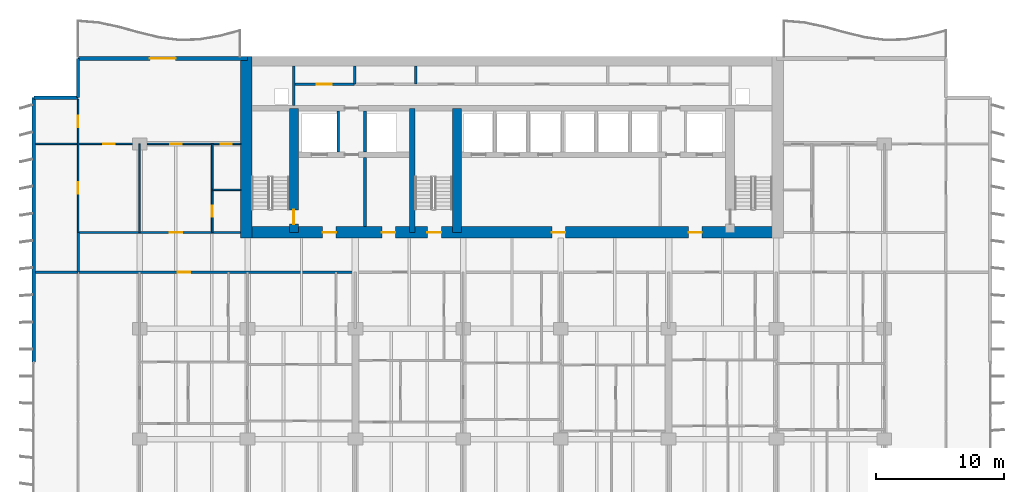
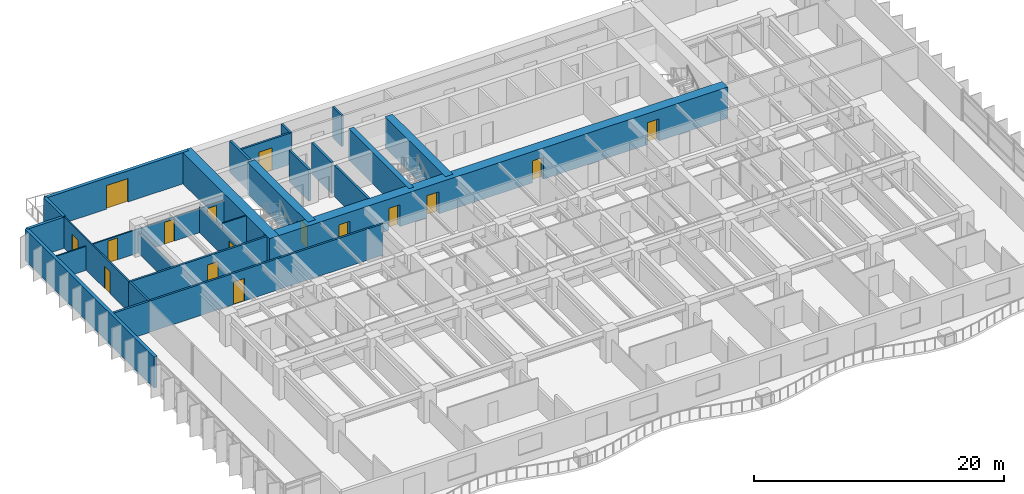
# One storey, part 10 of 17: 25 walls, 16 doors, 16 openings.
"""IFC4 building model written with IfcOpenShell, lengths in metres."""

from ifc_helpers import new_model, si_unit, direction, frame, frame_2d, origin, place, context, subcontext, project, spatial, rectangle, extrude, material, layer, layer_set, type_object, element, fill, save


model = new_model("IFC4")

# Units and contexts
model_context = context("Model", 3, precision=1e-05, world=origin(), true_north=direction((0.0, 1.0)))
body_context = subcontext(model_context, "Body", "Model", "MODEL_VIEW")
ifc_project = project(units=[si_unit("LENGTHUNIT", "METRE"), si_unit("AREAUNIT", "SQUARE_METRE"), si_unit("VOLUMEUNIT", "CUBIC_METRE"), si_unit("PLANEANGLEUNIT", "RADIAN"), si_unit("MASSUNIT", "GRAM", prefix="KILO")], contexts=[model_context])

# Site, building, storey
site_placement = place(None, origin())
site = spatial("IfcSite", under=ifc_project, at=site_placement, CompositionType="ELEMENT")
building_placement = place(site_placement, origin())
building = spatial("IfcBuilding", under=site, at=building_placement, Name="Caelmar Bay Residences", CompositionType="ELEMENT")
storey_placement = place(building_placement, frame((0.0, 0.0, 63.0)))
storey = spatial("IfcBuildingStorey", under=building, at=storey_placement, Name="L16", CompositionType="ELEMENT", Elevation=63.0)

# Wall, opening, door
ifc_material_1 = material(Name="Concrete f'c 55 MPa (8,000 psi)", Category="concrete")
ifc_layer_1 = layer(ifc_material_1, 0.699951171875)
ifc_layer_set_1 = layer_set([ifc_layer_1], Name="Concrete f'c 55 MPa (8,000 psi)")
wall_type_1 = type_object("IfcWallType", Name="SW-COR-700", PredefinedType="SHEAR", material=ifc_layer_set_1)
wall_1_placement = place(storey_placement, frame((21.89990234375, 36.89990234375, 0.0), z_axis=(0.0, 0.0, 1.0), x_axis=(0.0, 1.0, 0.0)))
wall_1 = element("IfcWall", 1, at=wall_1_placement, inside=storey, type_object=wall_type_1, Name="L16 Core Structural Web Wall ST1E", PredefinedType="SHEAR", context=body_context, shape_type="SweptSolid", body=[
    extrude(rectangle(XDim=9.675048828125, YDim=0.699951171875, at=frame_2d((4.83740234375, 0.0))), origin(), (0.0, 0.0, 1.0), 3.050048828125),
])
opening_1_placement = place(wall_1_placement, frame((0.64990234375, 0.0, 0.0)))
opening_1 = element("IfcOpeningElement", 2, at=opening_1_placement, cuts=wall_1, Name="Opening D-L16-108", PredefinedType="OPENING", context=body_context, shape_type="SweptSolid", body=[
    extrude(rectangle(XDim=1.10009765625, YDim=2.14990234375, at=frame_2d((0.550048828125, 1.074951171875))), frame((0.0, 0.35986328125, 0.0), z_axis=(0.0, -1.0, 0.0), x_axis=(1.0, 0.0, 0.0)), (0.0, 0.0, 1.0), 0.719970703125),
])
ifc_material_2 = material(Name="Fire-rated steel and walnut architectural door assembly", Category="steel")
ifc_layer_2 = layer(ifc_material_2, 0.050048828125)
ifc_layer_set_2 = layer_set([ifc_layer_2], Name="Fire-rated steel and walnut architectural door assembly")
door_type_1 = type_object("IfcDoorType", Name="D-STAIR-1100", OperationType="NOTDEFINED", PredefinedType="DOOR", material=ifc_layer_set_2)
door_1_placement = place(opening_1_placement, origin())
door_1 = element("IfcDoor", 3, at=door_1_placement, inside=storey, type_object=door_type_1, Name="L16 Firefighting Lobby West Door", OperationType="SINGLE_SWING_LEFT", OverallHeight=2.14990234375, OverallWidth=1.10009765625, PredefinedType="DOOR", context=body_context, shape_type="SweptSolid", body=[
    extrude(rectangle(XDim=1.10009765625, YDim=2.14990234375, at=frame_2d((0.550048828125, 1.074951171875))), frame((0.0, 0.02490234375, 0.0), z_axis=(0.0, -1.0, 0.0), x_axis=(1.0, 0.0, 0.0)), (0.0, 0.0, 1.0), 0.050048828125),
])
fill(opening_1, door_1)

# Wall
wall_2_placement = place(storey_placement, frame((34.60009765625, 36.89990234375, 0.0), z_axis=(0.0, 0.0, 1.0), x_axis=(0.0, 1.0, 0.0)))
element("IfcWall", 4, at=wall_2_placement, inside=storey, type_object=wall_type_1, Name="L16 Core Structural Web Wall ST3E", PredefinedType="SHEAR", context=body_context, shape_type="SweptSolid", body=[
    extrude(rectangle(XDim=9.675048828125, YDim=0.699951171875, at=frame_2d((4.83740234375, 0.0))), origin(), (0.0, 0.0, 1.0), 3.050048828125),
])

# Wall, openings, doors
ifc_material_3 = material(Name="Concrete f'c 70 MPa (10,000 psi)", Category="concrete")
ifc_layer_3 = layer(ifc_material_3, 0.89990234375)
ifc_layer_set_3 = layer_set([ifc_layer_3], Name="Concrete f'c 70 MPa (10,000 psi)")
wall_type_2 = type_object("IfcWallType", Name="SW-COR-900", PredefinedType="SHEAR", material=ifc_layer_set_3)
wall_3_placement = place(storey_placement, frame((17.75, 36.89990234375, 0.0), z_axis=(0.0, 0.0, 1.0), x_axis=(1.0, 0.0, 0.0)))
wall_3 = element("IfcWall", 5, at=wall_3_placement, inside=storey, type_object=wall_type_2, Name="L16 Rear Core South Shear Wall", PredefinedType="SHEAR", context=body_context, shape_type="SweptSolid", body=[
    extrude(rectangle(XDim=42.300048828125, YDim=0.89990234375, at=frame_2d((21.14990234375, 0.0))), origin(), (0.0, 0.0, 1.0), 3.050048828125),
])
opening_2_placement = place(wall_3_placement, frame((14.550048828125, 0.0, 0.0)))
opening_2 = element("IfcOpeningElement", 6, at=opening_2_placement, cuts=wall_3, Name="Opening D-L16-106", PredefinedType="OPENING", context=body_context, shape_type="SweptSolid", body=[
    extrude(rectangle(XDim=1.10009765625, YDim=2.14990234375, at=frame_2d((0.550048828125, 1.074951171875))), frame((0.0, 0.4599609375, 0.0), z_axis=(0.0, -1.0, 0.0), x_axis=(1.0, 0.0, 0.0)), (0.0, 0.0, 1.0), 0.919921875),
])
opening_3_placement = place(wall_3_placement, frame((6.39990234375, 0.0, 0.0)))
opening_3 = element("IfcOpeningElement", 7, at=opening_3_placement, cuts=wall_3, Name="Opening D-L16-107", PredefinedType="OPENING", context=body_context, shape_type="SweptSolid", body=[
    extrude(rectangle(XDim=1.050048828125, YDim=2.14990234375, at=frame_2d((0.52490234375, 1.074951171875))), frame((0.0, 0.4599609375, 0.0), z_axis=(0.0, -1.0, 0.0), x_axis=(1.0, 0.0, 0.0)), (0.0, 0.0, 1.0), 0.919921875),
])
opening_4_placement = place(wall_3_placement, frame((34.89990234375, 0.0, 0.0)))
opening_4 = element("IfcOpeningElement", 8, at=opening_4_placement, cuts=wall_3, Name="Opening D-L16-110", PredefinedType="OPENING", context=body_context, shape_type="SweptSolid", body=[
    extrude(rectangle(XDim=1.050048828125, YDim=2.14990234375, at=frame_2d((0.52490234375, 1.074951171875))), frame((0.0, 0.4599609375, 0.0), z_axis=(0.0, -1.0, 0.0), x_axis=(1.0, 0.0, 0.0)), (0.0, 0.0, 1.0), 0.919921875),
])
opening_5_placement = place(wall_3_placement, frame((11.012451171875, 0.0, 0.0)))
opening_5 = element("IfcOpeningElement", 9, at=opening_5_placement, cuts=wall_3, Name="Opening D-L16-113", PredefinedType="OPENING", context=body_context, shape_type="SweptSolid", body=[
    extrude(rectangle(XDim=1.050048828125, YDim=2.14990234375, at=frame_2d((0.52490234375, 1.074951171875))), frame((0.0, 0.4599609375, 0.0), z_axis=(0.0, -1.0, 0.0), x_axis=(1.0, 0.0, 0.0)), (0.0, 0.0, 1.0), 0.919921875),
])
opening_6_placement = place(wall_3_placement, frame((24.25, 0.0, 0.0)))
opening_6 = element("IfcOpeningElement", 10, at=opening_6_placement, cuts=wall_3, Name="Opening D-L16-114", PredefinedType="OPENING", context=body_context, shape_type="SweptSolid", body=[
    extrude(rectangle(XDim=1.050048828125, YDim=2.14990234375, at=frame_2d((0.52490234375, 1.074951171875))), frame((0.0, 0.4599609375, 0.0), z_axis=(0.0, -1.0, 0.0), x_axis=(1.0, 0.0, 0.0)), (0.0, 0.0, 1.0), 0.919921875),
])
ifc_layer_4 = layer(ifc_material_2, 0.050048828125)
ifc_layer_set_4 = layer_set([ifc_layer_4], Name="Fire-rated steel and walnut architectural door assembly")
door_type_2 = type_object("IfcDoorType", Name="D-FSAE-1050", OperationType="NOTDEFINED", PredefinedType="DOOR", material=ifc_layer_set_4)
door_2_placement = place(opening_3_placement, origin())
door_2 = element("IfcDoor", 11, at=door_2_placement, inside=storey, type_object=door_type_2, Name="L16 Firefighting Lobby West Door", OperationType="SINGLE_SWING_RIGHT", OverallHeight=2.14990234375, OverallWidth=1.050048828125, PredefinedType="DOOR", context=body_context, shape_type="SweptSolid", body=[
    extrude(rectangle(XDim=1.050048828125, YDim=2.14990234375, at=frame_2d((0.52490234375, 1.074951171875))), frame((0.0, 0.02490234375, 0.0), z_axis=(0.0, -1.0, 0.0), x_axis=(1.0, 0.0, 0.0)), (0.0, 0.0, 1.0), 0.050048828125),
])
fill(opening_3, door_2)
door_3_placement = place(opening_4_placement, origin())
door_3 = element("IfcDoor", 12, at=door_3_placement, inside=storey, type_object=door_type_2, Name="L16 Firefighting Lobby East Door", OperationType="SINGLE_SWING_LEFT", OverallHeight=2.14990234375, OverallWidth=1.050048828125, PredefinedType="DOOR", context=body_context, shape_type="SweptSolid", body=[
    extrude(rectangle(XDim=1.050048828125, YDim=2.14990234375, at=frame_2d((0.52490234375, 1.074951171875))), frame((0.0, 0.02490234375, 0.0), z_axis=(0.0, -1.0, 0.0), x_axis=(1.0, 0.0, 0.0)), (0.0, 0.0, 1.0), 0.050048828125),
])
fill(opening_4, door_3)
door_4_placement = place(opening_5_placement, origin())
door_4 = element("IfcDoor", 13, at=door_4_placement, inside=storey, type_object=door_type_2, Name="L16 West Lift Lobby Door", OperationType="SINGLE_SWING_RIGHT", OverallHeight=2.14990234375, OverallWidth=1.050048828125, PredefinedType="DOOR", context=body_context, shape_type="SweptSolid", body=[
    extrude(rectangle(XDim=1.050048828125, YDim=2.14990234375, at=frame_2d((0.52490234375, 1.074951171875))), frame((0.0, 0.02490234375, 0.0), z_axis=(0.0, -1.0, 0.0), x_axis=(1.0, 0.0, 0.0)), (0.0, 0.0, 1.0), 0.050048828125),
])
fill(opening_5, door_4)
door_5_placement = place(opening_6_placement, origin())
door_5 = element("IfcDoor", 14, at=door_5_placement, inside=storey, type_object=door_type_2, Name="L16 Passenger Lift Lobby Door", OperationType="SINGLE_SWING_LEFT", OverallHeight=2.14990234375, OverallWidth=1.050048828125, PredefinedType="DOOR", context=body_context, shape_type="SweptSolid", body=[
    extrude(rectangle(XDim=1.050048828125, YDim=2.14990234375, at=frame_2d((0.52490234375, 1.074951171875))), frame((0.0, 0.02490234375, 0.0), z_axis=(0.0, -1.0, 0.0), x_axis=(1.0, 0.0, 0.0)), (0.0, 0.0, 1.0), 0.050048828125),
])
fill(opening_6, door_5)
door_6_placement = place(opening_2_placement, origin())
door_6 = element("IfcDoor", 15, at=door_6_placement, inside=storey, type_object=door_type_1, Name="L16 Exit Stair ST3 Door", OperationType="SINGLE_SWING_LEFT", OverallHeight=2.14990234375, OverallWidth=1.10009765625, PredefinedType="DOOR", context=body_context, shape_type="SweptSolid", body=[
    extrude(rectangle(XDim=1.10009765625, YDim=2.14990234375, at=frame_2d((0.550048828125, 1.074951171875))), frame((0.0, 0.02490234375, 0.0), z_axis=(0.0, -1.0, 0.0), x_axis=(1.0, 0.0, 0.0)), (0.0, 0.0, 1.0), 0.050048828125),
])
fill(opening_2, door_6)

# Walls
wall_4_placement = place(storey_placement, frame((18.199951171875, 36.449951171875, 0.0), z_axis=(0.0, 0.0, 1.0), x_axis=(0.0, 1.0, 0.0)))
element("IfcWall", 16, at=wall_4_placement, inside=storey, type_object=wall_type_2, Name="L16 Rear Core West Shear Wall", PredefinedType="SHEAR", context=body_context, shape_type="SweptSolid", body=[
    extrude(rectangle(XDim=14.150146484375, YDim=0.89990234375, at=frame_2d((7.0751953125, 0.0))), origin(), (0.0, 0.0, 1.0), 3.050048828125),
])
ifc_layer_5 = layer(ifc_material_3, 0.449951171875)
ifc_layer_set_5 = layer_set([ifc_layer_5], Name="Concrete f'c 70 MPa (10,000 psi)")
wall_type_3 = type_object("IfcWallType", Name="SW-WEB-450", PredefinedType="SHEAR", material=ifc_layer_set_5)
wall_5_placement = place(storey_placement, frame((31.125, 36.89990234375, 0.0), z_axis=(0.0, 0.0, 1.0), x_axis=(0.0, 1.0, 0.0)))
element("IfcWall", 17, at=wall_5_placement, inside=storey, type_object=wall_type_3, Name="L16 Core Structural Web Wall ST3W", PredefinedType="SHEAR", context=body_context, shape_type="SweptSolid", body=[
    extrude(rectangle(XDim=9.675048828125, YDim=0.449951171875, at=frame_2d((4.83740234375, 0.0))), origin(), (0.0, 0.0, 1.0), 3.050048828125),
])
ifc_material_4 = material(Name="Double-stud acoustic fire-rated gypsum partition 180 mm")
ifc_layer_6 = layer(ifc_material_4, 0.179931640625)
ifc_layer_set_6 = layer_set([ifc_layer_6], Name="Double-stud acoustic fire-rated gypsum partition 180 mm")
wall_type_4 = type_object("IfcWallType", Name="W-COR-200", PredefinedType="PARTITIONING", material=ifc_layer_set_6)
wall_6_placement = place(storey_placement, frame((5.10009765625, 33.804931640625, 0.0), z_axis=(0.0, 0.0, 1.0), x_axis=(0.0, 1.0, 0.0)))
element("IfcWall", 18, at=wall_6_placement, inside=storey, type_object=wall_type_4, Name="L16 Partition Wall V005", PredefinedType="PARTITIONING", context=body_context, shape_type="SweptSolid", body=[
    extrude(rectangle(XDim=3.094970703125, YDim=0.179931640625, at=frame_2d((1.54736328125, 0.0))), origin(), (0.0, 0.0, 1.0), 3.050048828125),
])
for number, where, z_axis, x_axis, name in (
    (19, (26.64990234375, 48.449951171875, 0.0), (0.0, 0.0, 1.0), (0.0, 1.0, 0.0), "L16 Partition Wall V028"),
    (20, (31.39990234375, 48.449951171875, 0.0), (0.0, 0.0, 1.0), (0.0, 1.0, 0.0), "L16 Partition Wall V036"),
):
    element("IfcWall", number, at=place(storey_placement, frame(where, z_axis=z_axis, x_axis=x_axis)), inside=storey, type_object=wall_type_4, Name=name, PredefinedType="PARTITIONING", context=body_context, shape_type="SweptSolid", body=[
        extrude(rectangle(XDim=1.405029296875, YDim=0.179931640625, at=frame_2d((0.70263671875, 0.0))), origin(), (0.0, 0.0, 1.0), 3.050048828125),
    ])

# Wall, opening, door
wall_7_placement = place(storey_placement, frame((5.10498046875, 33.800048828125, 0.0), z_axis=(0.0, 0.0, 1.0), x_axis=(1.0, 0.0, 0.0)))
wall_7 = element("IfcWall", 21, at=wall_7_placement, inside=storey, type_object=wall_type_4, Name="L16 Partition Wall H121", PredefinedType="PARTITIONING", context=body_context, shape_type="SweptSolid", body=[
    extrude(rectangle(XDim=21.544921875, YDim=0.179931640625, at=frame_2d((10.7724609375, 0.0))), origin(), (0.0, 0.0, 1.0), 3.050048828125),
])
opening_7_placement = place(wall_7_placement, frame((7.7451171875, 0.0, 0.0)))
opening_7 = element("IfcOpeningElement", 22, at=opening_7_placement, cuts=wall_7, Name="Opening D-L16-123", PredefinedType="OPENING", context=body_context, shape_type="SweptSolid", body=[
    extrude(rectangle(XDim=1.0, YDim=2.199951171875, at=frame_2d((0.5, 1.10009765625))), frame((0.0, 0.099853515625, 0.0), z_axis=(0.0, -1.0, 0.0), x_axis=(1.0, 0.0, 0.0)), (0.0, 0.0, 1.0), 0.199951171875),
])
ifc_layer_7 = layer(ifc_material_2, 0.050048828125)
ifc_layer_set_7 = layer_set([ifc_layer_7], Name="Fire-rated steel and walnut architectural door assembly")
door_type_3 = type_object("IfcDoorType", Name="D-UNIT-1000", OperationType="NOTDEFINED", PredefinedType="DOOR", material=ifc_layer_set_7)
door_7_placement = place(opening_7_placement, origin())
door_7 = element("IfcDoor", 23, at=door_7_placement, inside=storey, type_object=door_type_3, Name="L16 Residence 01 Apartment Hall Door", OperationType="SINGLE_SWING_RIGHT", OverallHeight=2.199951171875, OverallWidth=1.0, PredefinedType="DOOR", context=body_context, shape_type="SweptSolid", body=[
    extrude(rectangle(XDim=1.0, YDim=2.199951171875, at=frame_2d((0.5, 1.10009765625))), frame((0.0, 0.02490234375, 0.0), z_axis=(0.0, -1.0, 0.0), x_axis=(1.0, 0.0, 0.0)), (0.0, 0.0, 1.0), 0.050048828125),
])
fill(opening_7, door_7)

wall_8_placement = place(storey_placement, frame((5.10009765625, 36.89990234375, 0.0), z_axis=(0.0, 0.0, 1.0), x_axis=(1.0, 0.0, 0.0)))
wall_8 = element("IfcWall", 24, at=wall_8_placement, inside=storey, type_object=wall_type_4, Name="L16 Partition Wall H124", PredefinedType="PARTITIONING", context=body_context, shape_type="SweptSolid", body=[
    extrude(rectangle(XDim=12.64501953125, YDim=0.179931640625, at=frame_2d((6.322509765625, 0.0))), origin(), (0.0, 0.0, 1.0), 3.050048828125),
])
opening_8_placement = place(wall_8_placement, frame((7.125, 0.0, 0.0)))
opening_8 = element("IfcOpeningElement", 25, at=opening_8_placement, cuts=wall_8, Name="Opening D-L16-169", PredefinedType="OPENING", context=body_context, shape_type="SweptSolid", body=[
    extrude(rectangle(XDim=1.0, YDim=2.199951171875, at=frame_2d((0.5, 1.10009765625))), frame((0.0, 0.099853515625, 0.0), z_axis=(0.0, -1.0, 0.0), x_axis=(1.0, 0.0, 0.0)), (0.0, 0.0, 1.0), 0.199951171875),
])
door_8_placement = place(opening_8_placement, origin())
door_8 = element("IfcDoor", 26, at=door_8_placement, inside=storey, type_object=door_type_3, Name="L16 Residence WA Kitchen Door", OperationType="SINGLE_SWING_RIGHT", OverallHeight=2.199951171875, OverallWidth=1.0, PredefinedType="DOOR", context=body_context, shape_type="SweptSolid", body=[
    extrude(rectangle(XDim=1.0, YDim=2.199951171875, at=frame_2d((0.5, 1.10009765625))), frame((0.0, 0.02490234375, 0.0), z_axis=(0.0, -1.0, 0.0), x_axis=(1.0, 0.0, 0.0)), (0.0, 0.0, 1.0), 0.050048828125),
])
fill(opening_8, door_8)

wall_9_placement = place(storey_placement, frame((21.89990234375, 48.449951171875, 0.0), z_axis=(0.0, 0.0, 1.0), x_axis=(1.0, 0.0, 0.0)))
wall_9 = element("IfcWall", 27, at=wall_9_placement, inside=storey, type_object=wall_type_4, Name="L16 Partition Wall H130", PredefinedType="PARTITIONING", context=body_context, shape_type="SweptSolid", body=[
    extrude(rectangle(XDim=4.75, YDim=0.179931640625, at=frame_2d((2.375, 0.0))), origin(), (0.0, 0.0, 1.0), 3.050048828125),
])
opening_9_placement = place(wall_9_placement, frame((1.77490234375, 0.0, 0.0)))
opening_9 = element("IfcOpeningElement", 28, at=opening_9_placement, cuts=wall_9, Name="Opening D-L16-117", PredefinedType="OPENING", context=body_context, shape_type="SweptSolid", body=[
    extrude(rectangle(XDim=1.199951171875, YDim=2.199951171875, at=frame_2d((0.60009765625, 1.10009765625))), frame((0.0, 0.099853515625, 0.0), z_axis=(0.0, -1.0, 0.0), x_axis=(1.0, 0.0, 0.0)), (0.0, 0.0, 1.0), 0.199951171875),
])
ifc_layer_8 = layer(ifc_material_2, 0.050048828125)
ifc_layer_set_8 = layer_set([ifc_layer_8], Name="Fire-rated steel and walnut architectural door assembly")
door_type_4 = type_object("IfcDoorType", Name="D-PLANT-1200", OperationType="NOTDEFINED", PredefinedType="DOOR", material=ifc_layer_set_8)
door_9_placement = place(opening_9_placement, origin())
door_9 = element("IfcDoor", 29, at=door_9_placement, inside=storey, type_object=door_type_4, Name="L16 Branch Panel Closet Door", OperationType="SINGLE_SWING_RIGHT", OverallHeight=2.199951171875, OverallWidth=1.199951171875, PredefinedType="DOOR", context=body_context, shape_type="SweptSolid", body=[
    extrude(rectangle(XDim=1.199951171875, YDim=2.199951171875, at=frame_2d((0.60009765625, 1.10009765625))), frame((0.0, 0.02490234375, 0.0), z_axis=(0.0, -1.0, 0.0), x_axis=(1.0, 0.0, 0.0)), (0.0, 0.0, 1.0), 0.050048828125),
])
fill(opening_9, door_9)

# Walls
ifc_material_5 = material(Name="Precast concrete f'c 40 MPa (6,000 psi)", Category="concrete")
ifc_layer_9 = layer(ifc_material_5, 0.25)
ifc_layer_set_9 = layer_set([ifc_layer_9], Name="Precast concrete f'c 40 MPa (6,000 psi)")
wall_type_5 = type_object("IfcWallType", Name="W-EXT-250", PredefinedType="ELEMENTEDWALL", material=ifc_layer_set_9)
wall_10_placement = place(storey_placement, frame((1.64990234375, 47.39990234375, 0.0), z_axis=(0.0, 0.0, 1.0), x_axis=(1.0, 0.0, 0.0)))
element("IfcWall", 30, at=wall_10_placement, inside=storey, type_object=wall_type_5, Name="L16 NNW-H Notch Wall", PredefinedType="ELEMENTEDWALL", context=body_context, shape_type="SweptSolid", body=[
    extrude(rectangle(XDim=3.4501953125, YDim=0.25, at=frame_2d((1.72509765625, 0.0))), origin(), (0.0, 0.0, 1.0), 3.050048828125),
])
wall_11_placement = place(storey_placement, frame((5.10009765625, 47.39990234375, 0.0), z_axis=(0.0, 0.0, 1.0), x_axis=(0.0, 1.0, 0.0)))
element("IfcWall", 31, at=wall_11_placement, inside=storey, type_object=wall_type_5, Name="L16 NNW-V Notch Wall", PredefinedType="ELEMENTEDWALL", context=body_context, shape_type="SweptSolid", body=[
    extrude(rectangle(XDim=3.050048828125, YDim=0.25, at=frame_2d((1.52490234375, 0.0))), origin(), (0.0, 0.0, 1.0), 3.050048828125),
])
ifc_layer_10 = layer(ifc_material_5, 0.300048828125)
ifc_layer_set_10 = layer_set([ifc_layer_10], Name="Precast concrete f'c 40 MPa (6,000 psi)")
wall_type_6 = type_object("IfcWallType", Name="W-EXT-300", PredefinedType="STANDARD", material=ifc_layer_set_10)
wall_12_placement = place(storey_placement, frame((1.64990234375, 26.800048828125, 0.0), z_axis=(0.0, 0.0, 1.0), x_axis=(0.0, 1.0, 0.0)))
element("IfcWall", 32, at=wall_12_placement, inside=storey, type_object=wall_type_6, Name="L16 West Rear Exterior Wall", PredefinedType="STANDARD", context=body_context, shape_type="SweptSolid", body=[
    extrude(rectangle(XDim=20.599853515625, YDim=0.300048828125, at=frame_2d((10.2998046875, 0.0))), origin(), (0.0, 0.0, 1.0), 3.050048828125),
])

# Wall, opening, door
wall_13_placement = place(storey_placement, frame((5.10009765625, 50.449951171875, 0.0), z_axis=(0.0, 0.0, 1.0), x_axis=(1.0, 0.0, 0.0)))
wall_13 = element("IfcWall", 33, at=wall_13_placement, inside=storey, type_object=wall_type_6, Name="L16 North-West Wing Exterior Wall", PredefinedType="STANDARD", context=body_context, shape_type="SweptSolid", body=[
    extrude(rectangle(XDim=13.199951171875, YDim=0.300048828125, at=frame_2d((6.60009765625, 0.0))), origin(), (0.0, 0.0, 1.0), 3.050048828125),
])
opening_10_placement = place(wall_13_placement, frame((5.60009765625, 0.0, 0.0)))
opening_10 = element("IfcOpeningElement", 34, at=opening_10_placement, cuts=wall_13, Name="Opening L16-BDNW", PredefinedType="OPENING", context=body_context, shape_type="SweptSolid", body=[
    extrude(rectangle(XDim=2.0, YDim=2.300048828125, at=frame_2d((1.0, 1.14990234375))), frame((0.0, 0.159912109375, 0.0), z_axis=(0.0, -1.0, 0.0), x_axis=(1.0, 0.0, 0.0)), (0.0, 0.0, 1.0), 0.320068359375),
])
ifc_material_6 = material(Name="Anodised bronze thermally broken sliding glass door", Category="glass")
ifc_layer_11 = layer(ifc_material_6, 0.050048828125)
ifc_layer_set_11 = layer_set([ifc_layer_11], Name="Anodised bronze thermally broken sliding glass door")
door_type_5 = type_object("IfcDoorType", Name="D-BAL-2000", OperationType="DOUBLE_DOOR_SLIDING", PredefinedType="DOOR", material=ifc_layer_set_11)
door_10_placement = place(opening_10_placement, origin())
door_10 = element("IfcDoor", 35, at=door_10_placement, inside=storey, type_object=door_type_5, Name="L16 North-West Balcony Door", OperationType="DOUBLE_DOOR_SLIDING", OverallHeight=2.300048828125, OverallWidth=2.0, PredefinedType="DOOR", context=body_context, shape_type="SweptSolid", body=[
    extrude(rectangle(XDim=2.0, YDim=2.300048828125, at=frame_2d((1.0, 1.14990234375))), frame((0.0, 0.02490234375, 0.0), z_axis=(0.0, -1.0, 0.0), x_axis=(1.0, 0.0, 0.0)), (0.0, 0.0, 1.0), 0.050048828125),
])
fill(opening_10, door_10)

# Walls
ifc_material_7 = material(Name="Fire-rated masonry and gypsum shaftliner assembly 200 mm", Category="masonry")
ifc_layer_12 = layer(ifc_material_7, 0.199951171875)
ifc_layer_set_12 = layer_set([ifc_layer_12], Name="Fire-rated masonry and gypsum shaftliner assembly 200 mm")
wall_type_7 = type_object("IfcWallType", Name="W-FSAE-200", PredefinedType="PARTITIONING", material=ifc_layer_set_12)
wall_14_placement = place(storey_placement, frame((21.89990234375, 46.794921875, 0.0), z_axis=(0.0, 0.0, 1.0), x_axis=(0.0, 1.0, 0.0)))
element("IfcWall", 36, at=wall_14_placement, inside=storey, type_object=wall_type_7, Name="L16 Partition Wall V024", PredefinedType="PARTITIONING", context=body_context, shape_type="SweptSolid", body=[
    extrude(rectangle(XDim=3.06005859375, YDim=0.199951171875, at=frame_2d((1.530029296875, 0.0))), origin(), (0.0, 0.0, 1.0), 3.050048828125),
])
wall_15_placement = place(storey_placement, frame((25.35009765625, 43.169921875, 0.0), z_axis=(0.0, 0.0, 1.0), x_axis=(0.0, 1.0, 0.0)))
element("IfcWall", 37, at=wall_15_placement, inside=storey, type_object=wall_type_7, Name="L16 Partition Wall V027", PredefinedType="PARTITIONING", context=body_context, shape_type="SweptSolid", body=[
    extrude(rectangle(XDim=3.18505859375, YDim=0.199951171875, at=frame_2d((1.592529296875, 0.0))), origin(), (0.0, 0.0, 1.0), 3.050048828125),
])
wall_16_placement = place(storey_placement, frame((27.449951171875, 37.344970703125, 0.0), z_axis=(0.0, 0.0, 1.0), x_axis=(0.0, 1.0, 0.0)))
element("IfcWall", 38, at=wall_16_placement, inside=storey, type_object=wall_type_7, Name="L16 Partition Wall V032", PredefinedType="PARTITIONING", context=body_context, shape_type="SweptSolid", body=[
    extrude(rectangle(XDim=5.385009765625, YDim=0.199951171875, at=frame_2d((2.6923828125, 0.0))), origin(), (0.0, 0.0, 1.0), 3.050048828125),
])
wall_17_placement = place(storey_placement, frame((27.449951171875, 43.169921875, 0.0), z_axis=(0.0, 0.0, 1.0), x_axis=(0.0, 1.0, 0.0)))
element("IfcWall", 39, at=wall_17_placement, inside=storey, type_object=wall_type_7, Name="L16 Partition Wall V033", PredefinedType="PARTITIONING", context=body_context, shape_type="SweptSolid", body=[
    extrude(rectangle(XDim=3.18505859375, YDim=0.199951171875, at=frame_2d((1.592529296875, 0.0))), origin(), (0.0, 0.0, 1.0), 3.050048828125),
])

# Wall, openings, doors
ifc_material_8 = material(Name="Acoustic metal-stud gypsum partition 120 mm")
ifc_layer_13 = layer(ifc_material_8, 0.1201171875)
ifc_layer_set_13 = layer_set([ifc_layer_13], Name="Acoustic metal-stud gypsum partition 120 mm")
wall_type_8 = type_object("IfcWallType", Name="W-PRT-120", PredefinedType="PARTITIONING", material=ifc_layer_set_13)
wall_18_placement = place(storey_placement, frame((5.10009765625, 36.905029296875, 0.0), z_axis=(0.0, 0.0, 1.0), x_axis=(0.0, 1.0, 0.0)))
wall_18 = element("IfcWall", 40, at=wall_18_placement, inside=storey, type_object=wall_type_8, Name="L16 Partition Wall V006", PredefinedType="PARTITIONING", context=body_context, shape_type="SweptSolid", body=[
    extrude(rectangle(XDim=10.375, YDim=0.1201171875, at=frame_2d((5.1875, 0.0))), origin(), (0.0, 0.0, 1.0), 3.050048828125),
])
opening_11_placement = place(wall_18_placement, frame((2.99755859375, 0.0, 0.0)))
opening_11 = element("IfcOpeningElement", 41, at=opening_11_placement, cuts=wall_18, Name="Opening D-L16-173", PredefinedType="OPENING", context=body_context, shape_type="SweptSolid", body=[
    extrude(rectangle(XDim=0.89990234375, YDim=2.14990234375, at=frame_2d((0.449951171875, 1.074951171875))), frame((0.0, 0.070068359375, 0.0), z_axis=(0.0, -1.0, 0.0), x_axis=(1.0, 0.0, 0.0)), (0.0, 0.0, 1.0), 0.14013671875),
])
opening_12_placement = place(wall_18_placement, frame((8.18505859375, 0.0, 0.0)))
opening_12 = element("IfcOpeningElement", 42, at=opening_12_placement, cuts=wall_18, Name="Opening D-L16-174", PredefinedType="OPENING", context=body_context, shape_type="SweptSolid", body=[
    extrude(rectangle(XDim=0.89990234375, YDim=2.14990234375, at=frame_2d((0.449951171875, 1.074951171875))), frame((0.0, 0.070068359375, 0.0), z_axis=(0.0, -1.0, 0.0), x_axis=(1.0, 0.0, 0.0)), (0.0, 0.0, 1.0), 0.14013671875),
])
ifc_material_9 = material(Name="Solid walnut timber interior door leaf and frame", Category="wood")
ifc_layer_14 = layer(ifc_material_9, 0.050048828125)
ifc_layer_set_14 = layer_set([ifc_layer_14], Name="Solid walnut timber interior door leaf and frame")
door_type_6 = type_object("IfcDoorType", Name="D-ROOM-900", OperationType="NOTDEFINED", PredefinedType="DOOR", material=ifc_layer_set_14)
door_11_placement = place(opening_11_placement, origin())
door_11 = element("IfcDoor", 43, at=door_11_placement, inside=storey, type_object=door_type_6, Name="L16 Residence WA Sun Study Door", OperationType="SINGLE_SWING_RIGHT", OverallHeight=2.14990234375, OverallWidth=0.89990234375, PredefinedType="DOOR", context=body_context, shape_type="SweptSolid", body=[
    extrude(rectangle(XDim=0.89990234375, YDim=2.14990234375, at=frame_2d((0.449951171875, 1.074951171875))), frame((0.0, 0.02490234375, 0.0), z_axis=(0.0, -1.0, 0.0), x_axis=(1.0, 0.0, 0.0)), (0.0, 0.0, 1.0), 0.050048828125),
])
fill(opening_11, door_11)
door_12_placement = place(opening_12_placement, origin())
door_12 = element("IfcDoor", 44, at=door_12_placement, inside=storey, type_object=door_type_6, Name="L16 Residence WA North Sitting Alcove Door", OperationType="SINGLE_SWING_LEFT", OverallHeight=2.14990234375, OverallWidth=0.89990234375, PredefinedType="DOOR", context=body_context, shape_type="SweptSolid", body=[
    extrude(rectangle(XDim=0.89990234375, YDim=2.14990234375, at=frame_2d((0.449951171875, 1.074951171875))), frame((0.0, 0.02490234375, 0.0), z_axis=(0.0, -1.0, 0.0), x_axis=(1.0, 0.0, 0.0)), (0.0, 0.0, 1.0), 0.050048828125),
])
fill(opening_12, door_12)

# Wall
wall_19_placement = place(storey_placement, frame((9.89990234375, 36.89990234375, 0.0), z_axis=(0.0, 0.0, 1.0), x_axis=(0.0, 1.0, 0.0)))
element("IfcWall", 45, at=wall_19_placement, inside=storey, type_object=wall_type_8, Name="L16 Partition Wall V012", PredefinedType="PARTITIONING", context=body_context, shape_type="SweptSolid", body=[
    extrude(rectangle(XDim=6.900146484375, YDim=0.1201171875, at=frame_2d((3.4501953125, 0.0))), origin(), (0.0, 0.0, 1.0), 2.110107421875),
])

# Wall, opening, door
wall_20_placement = place(storey_placement, frame((15.550048828125, 36.89990234375, 0.0), z_axis=(0.0, 0.0, 1.0), x_axis=(0.0, 1.0, 0.0)))
wall_20 = element("IfcWall", 46, at=wall_20_placement, inside=storey, type_object=wall_type_8, Name="L16 Partition Wall V016", PredefinedType="PARTITIONING", context=body_context, shape_type="SweptSolid", body=[
    extrude(rectangle(XDim=6.900146484375, YDim=0.1201171875, at=frame_2d((3.4501953125, 0.0))), origin(), (0.0, 0.0, 1.0), 2.4990234375),
])
opening_13_placement = place(wall_20_placement, frame((1.23095703125, 0.0, 0.0)))
opening_13 = element("IfcOpeningElement", 47, at=opening_13_placement, cuts=wall_20, Name="Opening D-L16-171", PredefinedType="OPENING", context=body_context, shape_type="SweptSolid", body=[
    extrude(rectangle(XDim=0.85009765625, YDim=2.10009765625, at=frame_2d((0.425048828125, 1.050048828125))), frame((0.0, 0.070068359375, 0.0), z_axis=(0.0, -1.0, 0.0), x_axis=(1.0, 0.0, 0.0)), (0.0, 0.0, 1.0), 0.14013671875),
])
ifc_layer_15 = layer(ifc_material_9, 0.050048828125)
ifc_layer_set_15 = layer_set([ifc_layer_15], Name="Solid walnut timber interior door leaf and frame")
door_type_7 = type_object("IfcDoorType", Name="D-BATH-850", OperationType="NOTDEFINED", PredefinedType="DOOR", material=ifc_layer_set_15)
door_13_placement = place(opening_13_placement, origin())
door_13 = element("IfcDoor", 48, at=door_13_placement, inside=storey, type_object=door_type_7, Name="L16 Residence WA Walk-In Closet Door", OperationType="SINGLE_SWING_RIGHT", OverallHeight=2.10009765625, OverallWidth=0.85009765625, PredefinedType="DOOR", context=body_context, shape_type="SweptSolid", body=[
    extrude(rectangle(XDim=0.85009765625, YDim=2.10009765625, at=frame_2d((0.425048828125, 1.050048828125))), frame((0.0, 0.02490234375, 0.0), z_axis=(0.0, -1.0, 0.0), x_axis=(1.0, 0.0, 0.0)), (0.0, 0.0, 1.0), 0.050048828125),
])
fill(opening_13, door_13)

# Wall
wall_21_placement = place(storey_placement, frame((15.550048828125, 40.2119140625, 0.0), z_axis=(0.0, 0.0, 1.0), x_axis=(1.0, 0.0, 0.0)))
element("IfcWall", 49, at=wall_21_placement, inside=storey, type_object=wall_type_8, Name="L16 Partition Wall H126", PredefinedType="PARTITIONING", context=body_context, shape_type="SweptSolid", body=[
    extrude(rectangle(XDim=2.204833984375, YDim=0.1201171875, at=frame_2d((1.1025390625, 0.0))), origin(), (0.0, 0.0, 1.0), 3.050048828125),
])

# Wall, openings, doors
wall_22_placement = place(storey_placement, frame((1.794921875, 43.800048828125, 0.0), z_axis=(0.0, 0.0, 1.0), x_axis=(1.0, 0.0, 0.0)))
wall_22 = element("IfcWall", 50, at=wall_22_placement, inside=storey, type_object=wall_type_8, Name="L16 Partition Wall H128", PredefinedType="PARTITIONING", context=body_context, shape_type="SweptSolid", body=[
    extrude(rectangle(XDim=15.9599609375, YDim=0.1201171875, at=frame_2d((7.97998046875, 0.0))), origin(), (0.0, 0.0, 1.0), 2.339111328125),
])
opening_14_placement = place(wall_22_placement, frame((5.2548828125, 0.0, 0.0)))
opening_14 = element("IfcOpeningElement", 51, at=opening_14_placement, cuts=wall_22, Name="Opening D-L16-168", PredefinedType="OPENING", context=body_context, shape_type="SweptSolid", body=[
    extrude(rectangle(XDim=0.89990234375, YDim=2.14990234375, at=frame_2d((0.449951171875, 1.074951171875))), frame((0.0, 0.070068359375, 0.0), z_axis=(0.0, -1.0, 0.0), x_axis=(1.0, 0.0, 0.0)), (0.0, 0.0, 1.0), 0.14013671875),
])
opening_15_placement = place(wall_22_placement, frame((10.47998046875, 0.0, 0.0)))
opening_15 = element("IfcOpeningElement", 52, at=opening_15_placement, cuts=wall_22, Name="Opening D-L16-170", PredefinedType="OPENING", context=body_context, shape_type="SweptSolid", body=[
    extrude(rectangle(XDim=0.89990234375, YDim=2.14990234375, at=frame_2d((0.449951171875, 1.074951171875))), frame((0.0, 0.070068359375, 0.0), z_axis=(0.0, -1.0, 0.0), x_axis=(1.0, 0.0, 0.0)), (0.0, 0.0, 1.0), 0.14013671875),
])
opening_16_placement = place(wall_22_placement, frame((14.4326171875, 0.0, 0.0)))
opening_16 = element("IfcOpeningElement", 53, at=opening_16_placement, cuts=wall_22, Name="Opening D-L16-172", PredefinedType="OPENING", context=body_context, shape_type="SweptSolid", body=[
    extrude(rectangle(XDim=0.85009765625, YDim=2.10009765625, at=frame_2d((0.425048828125, 1.050048828125))), frame((0.0, 0.070068359375, 0.0), z_axis=(0.0, -1.0, 0.0), x_axis=(1.0, 0.0, 0.0)), (0.0, 0.0, 1.0), 0.14013671875),
])
door_14_placement = place(opening_16_placement, origin())
door_14 = element("IfcDoor", 54, at=door_14_placement, inside=storey, type_object=door_type_7, Name="L16 Residence WA Bathroom Door", OperationType="SINGLE_SWING_LEFT", OverallHeight=2.10009765625, OverallWidth=0.85009765625, PredefinedType="DOOR", context=body_context, shape_type="SweptSolid", body=[
    extrude(rectangle(XDim=0.85009765625, YDim=2.10009765625, at=frame_2d((0.425048828125, 1.050048828125))), frame((0.0, 0.02490234375, 0.0), z_axis=(0.0, -1.0, 0.0), x_axis=(1.0, 0.0, 0.0)), (0.0, 0.0, 1.0), 0.050048828125),
])
fill(opening_16, door_14)
door_15_placement = place(opening_14_placement, origin())
door_15 = element("IfcDoor", 55, at=door_15_placement, inside=storey, type_object=door_type_6, Name="L16 Residence WA Study Door", OperationType="SINGLE_SWING_LEFT", OverallHeight=2.14990234375, OverallWidth=0.89990234375, PredefinedType="DOOR", context=body_context, shape_type="SweptSolid", body=[
    extrude(rectangle(XDim=0.89990234375, YDim=2.14990234375, at=frame_2d((0.449951171875, 1.074951171875))), frame((0.0, 0.02490234375, 0.0), z_axis=(0.0, -1.0, 0.0), x_axis=(1.0, 0.0, 0.0)), (0.0, 0.0, 1.0), 0.050048828125),
])
fill(opening_14, door_15)
door_16_placement = place(opening_15_placement, origin())
door_16 = element("IfcDoor", 56, at=door_16_placement, inside=storey, type_object=door_type_6, Name="L16 Residence WA Studio Living and Sleeping Room Door", OperationType="SINGLE_SWING_LEFT", OverallHeight=2.14990234375, OverallWidth=0.89990234375, PredefinedType="DOOR", context=body_context, shape_type="SweptSolid", body=[
    extrude(rectangle(XDim=0.89990234375, YDim=2.14990234375, at=frame_2d((0.449951171875, 1.074951171875))), frame((0.0, 0.02490234375, 0.0), z_axis=(0.0, -1.0, 0.0), x_axis=(1.0, 0.0, 0.0)), (0.0, 0.0, 1.0), 0.050048828125),
])
fill(opening_15, door_16)

# Wall
ifc_material_10 = material(Name="Acoustic twin-stud fire-rated inter-tenancy partition 200 mm")
ifc_layer_16 = layer(ifc_material_10, 0.199951171875)
ifc_layer_set_16 = layer_set([ifc_layer_16], Name="Acoustic twin-stud fire-rated inter-tenancy partition 200 mm")
wall_type_9 = type_object("IfcWallType", Name="W-PTY-200", PredefinedType="PARTITIONING", material=ifc_layer_set_16)
wall_23_placement = place(storey_placement, frame((1.794921875, 33.800048828125, 0.0), z_axis=(0.0, 0.0, 1.0), x_axis=(1.0, 0.0, 0.0)))
element("IfcWall", 57, at=wall_23_placement, inside=storey, type_object=wall_type_9, Name="L16 Partition Wall H120", PredefinedType="PARTITIONING", context=body_context, shape_type="SweptSolid", body=[
    extrude(rectangle(XDim=3.30517578125, YDim=0.199951171875, at=frame_2d((1.652587890625, 0.0))), origin(), (0.0, 0.0, 1.0), 3.050048828125),
])

save(model, "model.ifc")
